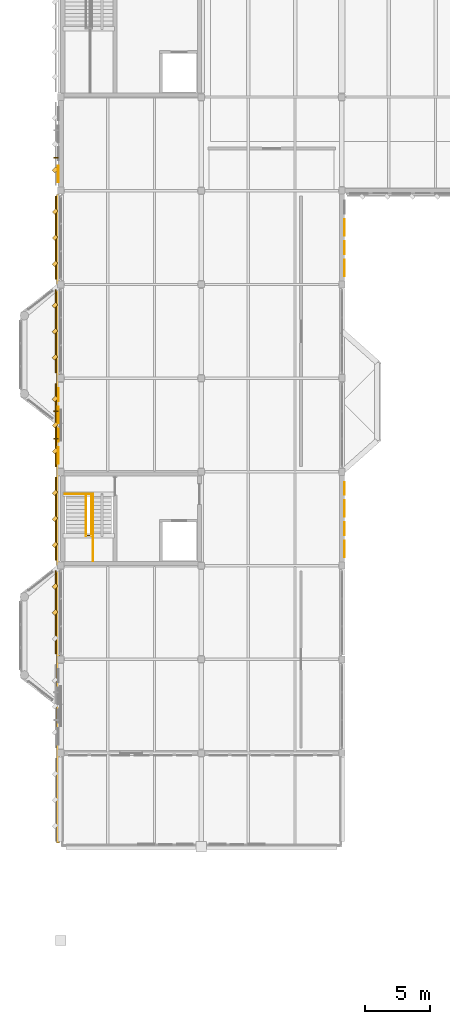
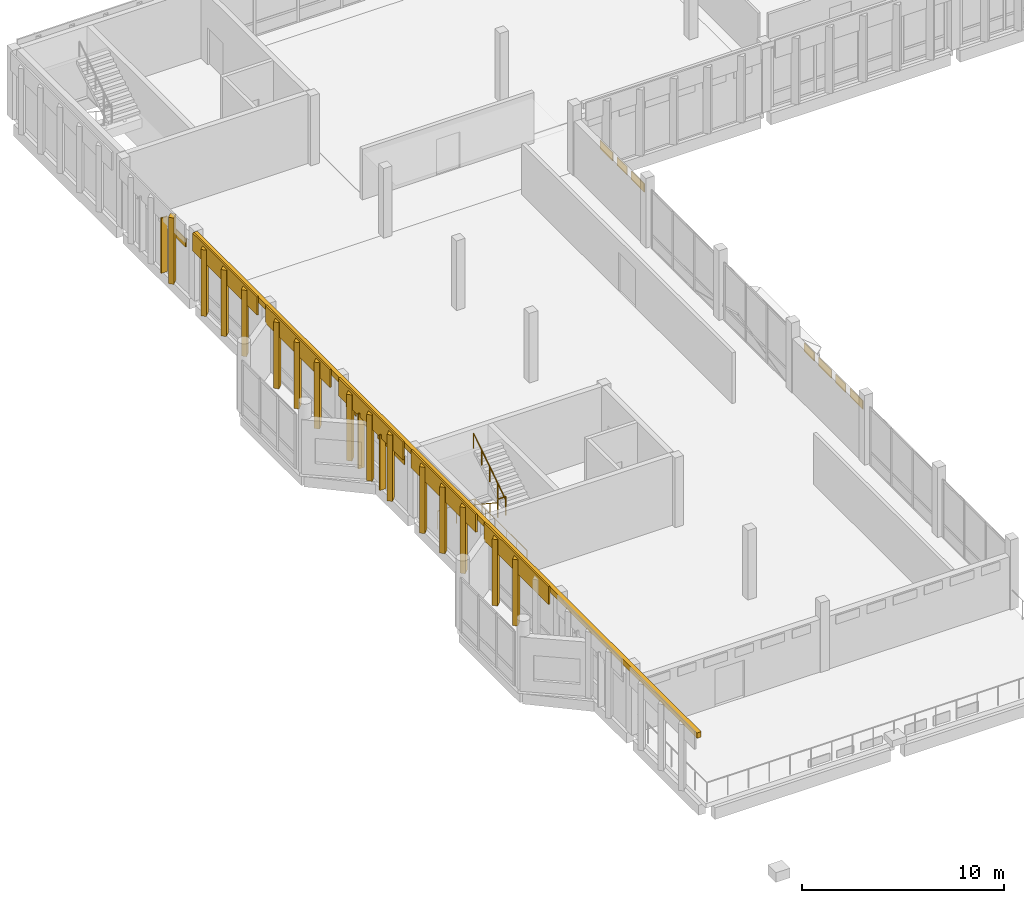
# One storey, part 65 of 72: 36 coverings, 4 railings.
"""IFC4 building model written with IfcOpenShell, lengths in metres."""

from ifc_helpers import new_model, si_unit, direction, frame, origin, origin_2d, place, context, subcontext, project, spatial, rectangle, circle, extrude, material, layer, layer_set, type_object, element, save


model = new_model("IFC4")

# Units and contexts
model_context = context("Model", 3, precision=1e-05, world=origin(), true_north=direction((0.0, 1.0)))
body_context = subcontext(model_context, "Body", "Model", "MODEL_VIEW")
ifc_project = project(units=[si_unit("LENGTHUNIT", "METRE"), si_unit("AREAUNIT", "SQUARE_METRE"), si_unit("VOLUMEUNIT", "CUBIC_METRE"), si_unit("PLANEANGLEUNIT", "RADIAN"), si_unit("MASSUNIT", "GRAM", prefix="KILO")], contexts=[model_context])

# Site, building, storey
site_placement = place(None, origin())
site = spatial("IfcSite", under=ifc_project, at=site_placement, CompositionType="ELEMENT")
building_placement = place(site_placement, origin())
building = spatial("IfcBuilding", under=site, at=building_placement, Name="Lusvemor Sports Hall", CompositionType="ELEMENT")
storey_placement = place(building_placement, frame((0.0, 0.0, 15.0)))
storey = spatial("IfcBuildingStorey", under=building, at=storey_placement, Name="L03", CompositionType="ELEMENT", Elevation=15.0)

# Coverings
ifc_material_1 = material(Name="Precast granite-faced Concrete C40/50 architectural cladding", Category="masonry")
ifc_layer_1 = layer(ifc_material_1, 0.055908203125)
ifc_layer_set_1 = layer_set([ifc_layer_1], Name="Precast granite-faced Concrete C40/50 architectural cladding")
covering_type_1 = type_object("IfcCoveringType", Name="CLAD_RELIEF_FRIEZE", PredefinedType="CLADDING", material=ifc_layer_set_1)
covering_placement = place(storey_placement, frame((-0.219970703125, 72.0, 3.8798828125), z_axis=(0.0, 0.0, 1.0), x_axis=(1.0, 0.0, 0.0)))
element("IfcCovering", 1, at=covering_placement, inside=storey, type_object=covering_type_1, Name="Art Nouveau Sculpted Roofline Cornice 1097", PredefinedType="CLADDING", context=body_context, shape_type="SweptSolid", body=[
    extrude(rectangle(XDim=0.239990234375, YDim=49.800048828125, at=origin_2d()), origin(), (0.0, 0.0, 1.0), 0.320068359375),
])
ifc_material_2 = material(Name="Emerald polychrome glazed ceramic cladding on Concrete C40/50 backing", Category="concrete")
ifc_layer_2 = layer(ifc_material_2, 0.0458984375)
ifc_layer_set_2 = layer_set([ifc_layer_2], Name="Emerald polychrome glazed ceramic cladding on Concrete C40/50 backing")
covering_type_2 = type_object("IfcCoveringType", Name="CLAD_WAVE_EMERALD", PredefinedType="CLADDING", material=ifc_layer_set_2)
for number, where, z_axis, x_axis, name in (
    (2, (-0.197998046875, 76.875, 2.669921875), (0.0, 0.0, 1.0), (1.0, 0.0, 0.0), "Art Nouveau Patterned Cladding PS-EW-L03-W-0-3-1"),
    (3, (-0.197998046875, 79.97509765625, 2.669921875), (0.0, 0.0, 1.0), (1.0, 0.0, 0.0), "Art Nouveau Patterned Cladding PS-EW-L03-W-0-3-3"),
    (4, (-0.197998046875, 98.47509765625, 2.69482421875), (0.0, 0.0, 1.0), (1.0, 0.0, 0.0), "Art Nouveau Patterned Cladding PS-EW-L03-W-0-6-1"),
    (5, (21.798095703125, 69.675048828125, 2.669921875), (0.0, 0.0, 1.0), (1.0, 0.0, 0.0), "Art Nouveau Patterned Cladding PS-EW-L03-E-4-2-1"),
    (6, (21.798095703125, 72.77490234375, 2.669921875), (0.0, 0.0, 1.0), (1.0, 0.0, 0.0), "Art Nouveau Patterned Cladding PS-EW-L03-E-4-2-3"),
    (7, (21.798095703125, 91.27490234375, 2.669921875), (0.0, 0.0, 1.0), (1.0, 0.0, 0.0), "Art Nouveau Patterned Cladding PS-EW-L03-E-4-5-1"),
    (8, (21.798095703125, 94.375, 2.669921875), (0.0, 0.0, 1.0), (1.0, 0.0, 0.0), "Art Nouveau Patterned Cladding PS-EW-L03-E-4-5-3"),
):
    element("IfcCovering", number, at=place(storey_placement, frame(where, z_axis=z_axis, x_axis=x_axis)), inside=storey, type_object=covering_type_2, Name=name, PredefinedType="CLADDING", context=body_context, shape_type="SweptSolid", body=[
        extrude(rectangle(XDim=0.0458984375, YDim=1.27099609375, at=origin_2d()), origin(), (0.0, 0.0, 1.0), 0.510009765625),
    ])
for number, where, z_axis, x_axis, name in (
    (9, (-0.43994140625, 64.800048828125, 0.10009765625), (0.0, 0.0, 1.0), (0.707106781187, 0.707106781187, 0.0), "Patterned Diamond Cladding Rib 1031"),
    (10, (-0.43994140625, 72.0, 0.10009765625), (0.0, 0.0, 1.0), (0.707106781187, 0.707106781187, 0.0), "Patterned Diamond Cladding Rib 1047"),
    (11, (-0.43994140625, 79.199951171875, 0.10009765625), (0.0, 0.0, 1.0), (0.707106781187, 0.707106781187, 0.0), "Patterned Diamond Cladding Rib 1063"),
    (12, (-0.43994140625, 86.39990234375, 0.10009765625), (0.0, 0.0, 1.0), (0.707106781187, 0.707106781187, 0.0), "Patterned Diamond Cladding Rib 1079"),
    (13, (-0.43994140625, 93.60009765625, 0.10009765625), (0.0, 0.0, 1.0), (0.707106781187, 0.707106781187, 0.0), "Patterned Diamond Cladding Rib 1095"),
):
    element("IfcCovering", number, at=place(storey_placement, frame(where, z_axis=z_axis, x_axis=x_axis)), inside=storey, type_object=covering_type_2, Name=name, PredefinedType="CLADDING", context=body_context, shape_type="SweptSolid", body=[
        extrude(rectangle(XDim=0.3798828125, YDim=0.280029296875, at=origin_2d()), origin(), (0.0, 0.0, 1.0), 4.0),
    ])
ifc_material_3 = material(Name="Warm terracotta Art Nouveau ceramic cladding on Concrete C40/50 backing", Category="masonry")
ifc_layer_3 = layer(ifc_material_3, 0.0380859375)
ifc_layer_set_3 = layer_set([ifc_layer_3], Name="Warm terracotta Art Nouveau ceramic cladding on Concrete C40/50 backing")
covering_type_3 = type_object("IfcCoveringType", Name="CLAD_WAVE_OCHRE", PredefinedType="CLADDING", material=ifc_layer_set_3)
for number, where, z_axis, x_axis, name in (
    (14, (-0.194091796875, 78.425048828125, 2.669921875), (0.0, 0.0, 1.0), (1.0, 0.0, 0.0), "Art Nouveau Patterned Cladding PS-EW-L03-W-0-3-2"),
    (15, (-0.194091796875, 81.52490234375, 2.669921875), (0.0, 0.0, 1.0), (1.0, 0.0, 0.0), "Art Nouveau Patterned Cladding PS-EW-L03-W-0-3-4"),
    (16, (21.7939453125, 71.22509765625, 2.669921875), (0.0, 0.0, 1.0), (1.0, 0.0, 0.0), "Art Nouveau Patterned Cladding PS-EW-L03-E-4-2-2"),
    (17, (21.7939453125, 74.324951171875, 2.669921875), (0.0, 0.0, 1.0), (1.0, 0.0, 0.0), "Art Nouveau Patterned Cladding PS-EW-L03-E-4-2-4"),
    (18, (21.7939453125, 92.824951171875, 2.669921875), (0.0, 0.0, 1.0), (1.0, 0.0, 0.0), "Art Nouveau Patterned Cladding PS-EW-L03-E-4-5-2"),
):
    element("IfcCovering", number, at=place(storey_placement, frame(where, z_axis=z_axis, x_axis=x_axis)), inside=storey, type_object=covering_type_3, Name=name, PredefinedType="CLADDING", context=body_context, shape_type="SweptSolid", body=[
        extrude(rectangle(XDim=0.0380859375, YDim=0.991943359375, at=origin_2d()), origin(), (0.0, 0.0, 1.0), 0.510009765625),
    ])
for number, where, z_axis, x_axis, name in (
    (19, (-0.389892578125, 64.800048828125, 3.179931640625), (0.0, 0.0, 1.0), (1.0, 0.0, 0.0), "Art Nouveau Spandrel Cornice 1029"),
    (20, (-0.389892578125, 72.0, 3.179931640625), (0.0, 0.0, 1.0), (1.0, 0.0, 0.0), "Art Nouveau Spandrel Cornice 1045"),
    (21, (-0.389892578125, 79.199951171875, 3.179931640625), (0.0, 0.0, 1.0), (1.0, 0.0, 0.0), "Art Nouveau Spandrel Cornice 1061"),
    (22, (-0.389892578125, 86.39990234375, 3.179931640625), (0.0, 0.0, 1.0), (1.0, 0.0, 0.0), "Art Nouveau Spandrel Cornice 1077"),
    (23, (-0.389892578125, 93.60009765625, 3.179931640625), (0.0, 0.0, 1.0), (1.0, 0.0, 0.0), "Art Nouveau Spandrel Cornice 1093"),
):
    element("IfcCovering", number, at=place(storey_placement, frame(where, z_axis=z_axis, x_axis=x_axis)), inside=storey, type_object=covering_type_3, Name=name, PredefinedType="CLADDING", context=body_context, shape_type="SweptSolid", body=[
        extrude(rectangle(XDim=0.090087890625, YDim=6.3798828125, at=origin_2d()), origin(), (0.0, 0.0, 1.0), 1.080078125),
    ])
ifc_material_4 = material(Name="Emerald polychrome glazed ceramic cladding on Concrete C40/50 backing", Category="concrete")
ifc_layer_4 = layer(ifc_material_4, 0.35009765625)
ifc_layer_set_4 = layer_set([ifc_layer_4], Name="Emerald polychrome glazed ceramic cladding on Concrete C40/50 backing")
covering_type_4 = type_object("IfcCoveringType", Name="FIN_BRISE_CER_350", PredefinedType="MOLDING", material=ifc_layer_set_4)
for number, where, z_axis, x_axis, name in (
    (24, (-0.360107421875, 78.139892578125, 0.10009765625), (0.0, 0.0, 1.0), (1.0, 0.0, 0.0), "Wing Brise-Soleil Fin L03-W-0-3-1"),
    (25, (-0.360107421875, 80.260009765625, 0.10009765625), (0.0, 0.0, 1.0), (1.0, 0.0, 0.0), "Wing Brise-Soleil Fin L03-W-0-3-2"),
    (26, (-0.360107421875, 99.739990234375, 0.10009765625), (0.0, 0.0, 1.0), (1.0, 0.0, 0.0), "Wing Brise-Soleil Fin L03-W-0-6-1"),
):
    element("IfcCovering", number, at=place(storey_placement, frame(where, z_axis=z_axis, x_axis=x_axis)), inside=storey, type_object=covering_type_4, Name=name, PredefinedType="MOLDING", context=body_context, shape_type="SweptSolid", body=[
        extrude(rectangle(XDim=0.35009765625, YDim=0.080078125, at=origin_2d()), origin(), (0.0, 0.0, 1.0), 3.320068359375),
    ])
ifc_material_5 = material(Name="Warm terracotta Art Nouveau ceramic cladding on Concrete C40/50 backing", Category="masonry")
ifc_layer_5 = layer(ifc_material_5, 0.449951171875)
ifc_layer_set_5 = layer_set([ifc_layer_5], Name="Warm terracotta Art Nouveau ceramic cladding on Concrete C40/50 backing")
covering_type_5 = type_object("IfcCoveringType", Name="FIN_BRISE_CER_450", PredefinedType="MOLDING", material=ifc_layer_set_5)
for number, where, z_axis, x_axis, name in (
    (27, (-0.43994140625, 66.800048828125, 0.10009765625), (0.0, 0.0, 1.0), (0.707106781187, 0.707106781187, 0.0), "Patterned Diamond Cladding Rib 1032"),
    (28, (-0.43994140625, 70.0, 0.10009765625), (0.0, 0.0, 1.0), (0.707106781187, 0.707106781187, 0.0), "Patterned Diamond Cladding Rib 1046"),
    (29, (-0.43994140625, 74.0, 0.10009765625), (0.0, 0.0, 1.0), (0.707106781187, 0.707106781187, 0.0), "Patterned Diamond Cladding Rib 1048"),
    (30, (-0.43994140625, 77.199951171875, 0.10009765625), (0.0, 0.0, 1.0), (0.707106781187, 0.707106781187, 0.0), "Patterned Diamond Cladding Rib 1062"),
    (31, (-0.43994140625, 81.199951171875, 0.10009765625), (0.0, 0.0, 1.0), (0.707106781187, 0.707106781187, 0.0), "Patterned Diamond Cladding Rib 1064"),
    (32, (-0.43994140625, 84.39990234375, 0.10009765625), (0.0, 0.0, 1.0), (0.707106781187, 0.707106781187, 0.0), "Patterned Diamond Cladding Rib 1078"),
    (33, (-0.43994140625, 88.39990234375, 0.10009765625), (0.0, 0.0, 1.0), (0.707106781187, 0.707106781187, 0.0), "Patterned Diamond Cladding Rib 1080"),
    (34, (-0.43994140625, 91.60009765625, 0.10009765625), (0.0, 0.0, 1.0), (0.707106781187, 0.707106781187, 0.0), "Patterned Diamond Cladding Rib 1094"),
    (35, (-0.43994140625, 95.60009765625, 0.10009765625), (0.0, 0.0, 1.0), (0.707106781187, 0.707106781187, 0.0), "Patterned Diamond Cladding Rib 1096"),
    (36, (-0.43994140625, 98.800048828125, 0.10009765625), (0.0, 0.0, 1.0), (0.707106781187, 0.707106781187, 0.0), "Patterned Diamond Cladding Rib 1113"),
):
    element("IfcCovering", number, at=place(storey_placement, frame(where, z_axis=z_axis, x_axis=x_axis)), inside=storey, type_object=covering_type_5, Name=name, PredefinedType="MOLDING", context=body_context, shape_type="SweptSolid", body=[
        extrude(rectangle(XDim=0.3798828125, YDim=0.280029296875, at=origin_2d()), origin(), (0.0, 0.0, 1.0), 4.0),
    ])

# Railings
ifc_material_6 = material(Name="Bronze-finished wrought-steel Art Nouveau balustrade", Category="steel")
railing_type_1 = type_object("IfcRailingType", Name="RAIL_HANDRAIL_092", PredefinedType="HANDRAIL", material=ifc_material_6)
railing_1_placement = place(storey_placement, frame((1.929931640625, 73.8798828125, 0.0)))
element("IfcRailing", 37, at=railing_1_placement, inside=storey, type_object=railing_type_1, Name="Stair STR-C3-L03 Handrail F1", PredefinedType="HANDRAIL", context=body_context, shape_type="SweptSolid", body=[
    extrude(circle(Radius=0.02392578125, at=origin_2d()), frame((0.0, 0.0, 0.89599609375), z_axis=(0.0, -0.835242474824, 0.549881812983), x_axis=(1.0, 0.0, 0.0)), (0.0, 0.0, 1.0), 3.819091796875),
    extrude(circle(Radius=0.02099609375, at=origin_2d()), origin(), (0.0, 0.0, 1.0), 0.871826171875),
    extrude(circle(Radius=0.02099609375, at=origin_2d()), frame((0.0, -0.79736328125, 0.52490234375)), (0.0, 0.0, 1.0), 0.871826171875),
    extrude(circle(Radius=0.02099609375, at=origin_2d()), frame((0.0, -1.594970703125, 1.050048828125)), (0.0, 0.0, 1.0), 0.871826171875),
    extrude(circle(Radius=0.02099609375, at=origin_2d()), frame((0.0, -2.392578125, 1.5751953125)), (0.0, 0.0, 1.0), 0.871826171875),
    extrude(circle(Radius=0.02099609375, at=origin_2d()), frame((0.0, -3.18994140625, 2.10009765625)), (0.0, 0.0, 1.0), 0.871826171875),
])
railing_2_placement = place(storey_placement, frame((2.3701171875, 70.68994140625, 2.10009765625)))
element("IfcRailing", 38, at=railing_2_placement, inside=storey, type_object=railing_type_1, Name="Stair STR-C3-L03 Handrail F2", PredefinedType="HANDRAIL", context=body_context, shape_type="SweptSolid", body=[
    extrude(circle(Radius=0.02392578125, at=origin_2d()), frame((0.0, 0.0, 0.89599609375), z_axis=(0.0, 0.835271834381, 0.549837214719), x_axis=(-1.0, 0.0, 0.0)), (0.0, 0.0, 1.0), 3.819091796875),
    extrude(circle(Radius=0.02099609375, at=origin_2d()), origin(), (0.0, 0.0, 1.0), 0.871826171875),
    extrude(circle(Radius=0.02099609375, at=origin_2d()), frame((0.0, 0.79736328125, 0.52490234375)), (0.0, 0.0, 1.0), 0.871826171875),
    extrude(circle(Radius=0.02099609375, at=origin_2d()), frame((0.0, 1.594970703125, 1.0498046875)), (0.0, 0.0, 1.0), 0.871826171875),
    extrude(circle(Radius=0.02099609375, at=origin_2d()), frame((0.0, 2.392578125, 1.574951171875)), (0.0, 0.0, 1.0), 0.871826171875),
    extrude(circle(Radius=0.02099609375, at=origin_2d()), frame((0.0, 3.18994140625, 2.099853515625)), (0.0, 0.0, 1.0), 0.871826171875),
])
ifc_material_7 = material(Name="Bronze-finished wrought-steel Art Nouveau balustrade", Category="steel")
railing_type_2 = type_object("IfcRailingType", Name="RAIL_STAIR_GUARD_112", PredefinedType="GUARDRAIL", material=ifc_material_7)
railing_3_placement = place(storey_placement, frame((0.340087890625, 73.89990234375, 0.0)))
element("IfcRailing", 39, at=railing_3_placement, inside=storey, type_object=railing_type_2, Name="Stairwell C3 Top Guard (L03)", PredefinedType="GUARDRAIL", context=body_context, shape_type="SweptSolid", body=[
    extrude(circle(Radius=0.02392578125, at=origin_2d()), frame((0.0, 0.0, 1.09619140625), z_axis=(1.0, 0.0, 0.0), x_axis=(0.0, 1.0, 0.0)), (0.0, 0.0, 1.0), 2.119873046875),
    extrude(circle(Radius=0.02392578125, at=origin_2d()), frame((2.119873046875, 0.0, 1.09619140625), z_axis=(0.0, -1.0, 0.0), x_axis=(1.0, 0.0, 0.0)), (0.0, 0.0, 1.0), 5.159912109375),
    extrude(circle(Radius=0.02099609375, at=origin_2d()), origin(), (0.0, 0.0, 1.0), 1.072021484375),
    extrude(circle(Radius=0.02099609375, at=origin_2d()), frame((1.06005859375, 0.0, 0.0)), (0.0, 0.0, 1.0), 1.072021484375),
    extrude(circle(Radius=0.02099609375, at=origin_2d()), frame((2.119873046875, 0.0, 0.0)), (0.0, 0.0, 1.0), 1.072021484375),
    extrude(circle(Radius=0.02099609375, at=origin_2d()), frame((2.119873046875, -1.031982421875, 0.0)), (0.0, 0.0, 1.0), 1.072021484375),
    extrude(circle(Radius=0.02099609375, at=origin_2d()), frame((2.119873046875, -2.06396484375, 0.0)), (0.0, 0.0, 1.0), 1.072021484375),
    extrude(circle(Radius=0.02099609375, at=origin_2d()), frame((2.119873046875, -3.095947265625, 0.0)), (0.0, 0.0, 1.0), 1.072021484375),
    extrude(circle(Radius=0.02099609375, at=origin_2d()), frame((2.119873046875, -4.1279296875, 0.0)), (0.0, 0.0, 1.0), 1.072021484375),
    extrude(circle(Radius=0.02099609375, at=origin_2d()), frame((2.119873046875, -5.159912109375, 0.0)), (0.0, 0.0, 1.0), 1.072021484375),
])
railing_4_placement = place(storey_placement, frame((1.929931640625, 70.7099609375, 2.10009765625)))
element("IfcRailing", 40, at=railing_4_placement, inside=storey, type_object=railing_type_2, Name="Stair STR-C3-L03 Mid Well Guard", PredefinedType="GUARDRAIL", context=body_context, shape_type="SweptSolid", body=[
    extrude(circle(Radius=0.02392578125, at=origin_2d()), frame((0.0, 0.0, 1.09619140625), z_axis=(1.0, 0.0, 0.0), x_axis=(0.0, 1.0, 0.0)), (0.0, 0.0, 1.0), 0.440185546875),
    extrude(circle(Radius=0.02099609375, at=origin_2d()), origin(), (0.0, 0.0, 1.0), 1.072021484375),
    extrude(circle(Radius=0.02099609375, at=origin_2d()), frame((0.440185546875, 0.0, 0.0)), (0.0, 0.0, 1.0), 1.072021484375),
])

save(model, "model.ifc")
